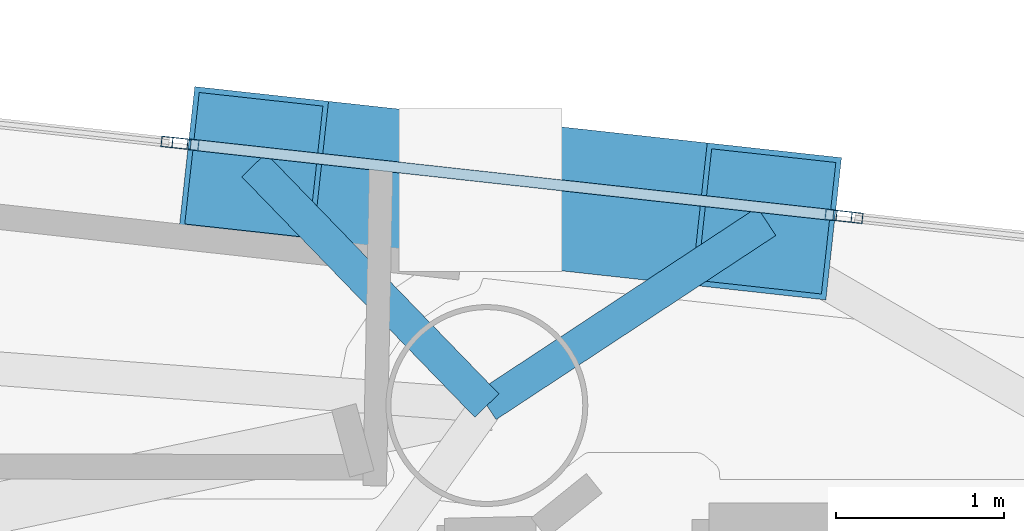
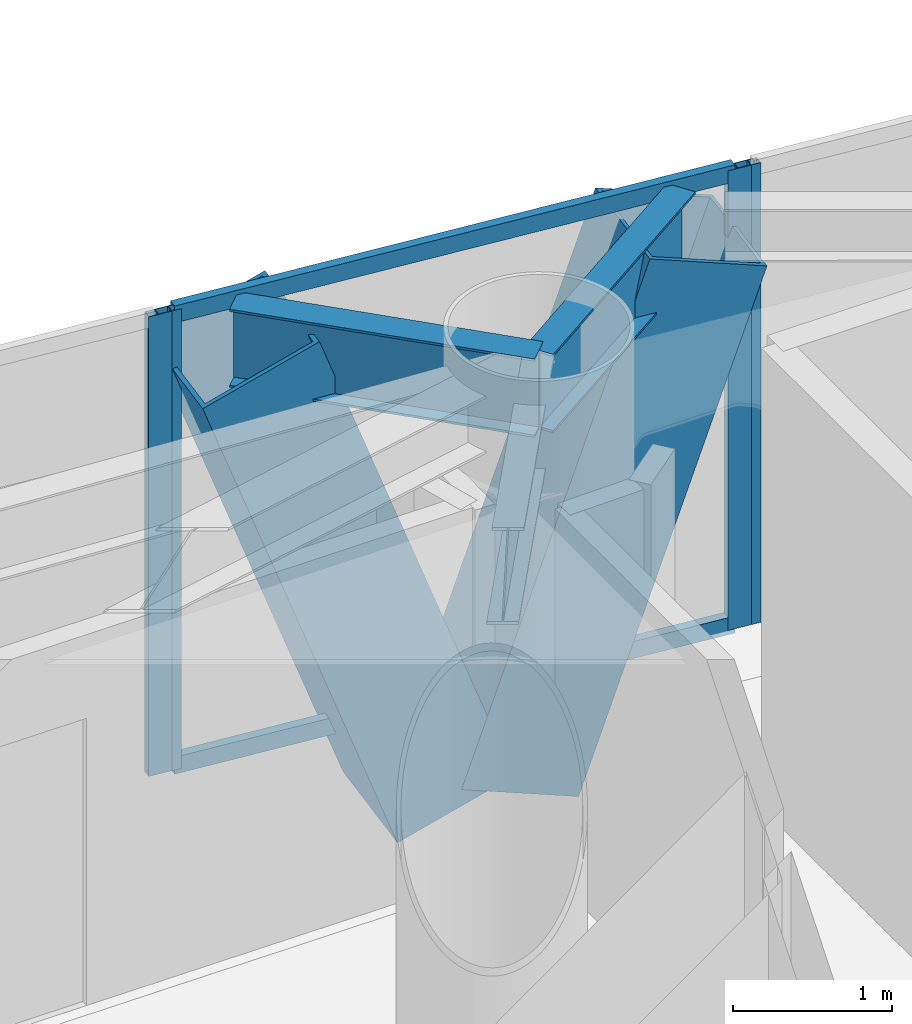
# One storey, part 14 of 24: 8 members, 2 beams, 3 elements without a shape of their own.
"""IFC4 building model written with IfcOpenShell, lengths in metres."""

from ifc_helpers import new_model, si_unit, direction, frame, origin, origin_2d, place, context, subcontext, project, spatial, hollow_rectangle, i_section, extrude, material, layer, layer_set, material_profile, profile_set, type_object, element, aggregate, save


model = new_model("IFC4")

# Units and contexts
model_context = context("Model", 3, precision=1e-05, world=origin(), true_north=direction((0.0, 1.0)))
body_context = subcontext(model_context, "Body", "Model", "MODEL_VIEW")
ifc_project = project(units=[si_unit("LENGTHUNIT", "METRE"), si_unit("AREAUNIT", "SQUARE_METRE"), si_unit("VOLUMEUNIT", "CUBIC_METRE"), si_unit("PLANEANGLEUNIT", "RADIAN"), si_unit("MASSUNIT", "GRAM", prefix="KILO")], contexts=[model_context])

# Site, building, storey
site_placement = place(None, origin())
site = spatial("IfcSite", under=ifc_project, at=site_placement, CompositionType="ELEMENT")
building_placement = place(site_placement, origin())
building = spatial("IfcBuilding", under=site, at=building_placement, Name="Qianvela Tower", CompositionType="ELEMENT")
storey_placement = place(building_placement, frame((0.0, 0.0, 222.5)))
storey = spatial("IfcBuildingStorey", under=building, at=storey_placement, Name="L57", CompositionType="ELEMENT", Elevation=222.5)

# Beams
ifc_material_1 = material(Name="Steel Q355B", Category="steel")
ifc_material_profile_1 = material_profile(ifc_material_1, i_section(OverallWidth=0.199951171875, OverallDepth=0.60009765625, WebThickness=0.010986328125, FlangeThickness=0.01708984375, at=origin_2d()), Name="HN600x200x11x17")
ifc_profile_set_1 = profile_set([ifc_material_profile_1], Name="Steel Q355B")
beam_type = type_object("IfcBeamType", Name="BM-HN600-GIRD", PredefinedType="BEAM", material=ifc_profile_set_1)
for number, where, z_axis, x_axis, name in (
    (1, (40.131103515625, 35.9580078125, 3.218017578125), (0.835245079592, 0.549877856453, 0.0), (-0.549877856453, 0.835245079592, 0.0), "L57 Mega-Brace Column Tie Bracket F1-1"),
    (2, (40.131103515625, 35.9580078125, 3.218017578125), (-0.695854545997, 0.718182741937, 0.0), (-0.718182741937, -0.695854545997, 0.0), "L57 Mega-Brace Column Tie Bracket F1-2"),
):
    element("IfcBeam", number, at=place(storey_placement, frame(where, z_axis=z_axis, x_axis=x_axis)), inside=storey, type_object=beam_type, Name=name, PredefinedType="BEAM", context=body_context, shape_type="SweptSolid", body=[
        extrude(i_section(OverallWidth=0.199951171875, OverallDepth=0.60009765625, WebThickness=0.010986328125, FlangeThickness=0.01708984375, at=origin_2d()), origin(), (0.0, 0.0, 1.0), 1.989990234375),
    ])

# Curtain wall, members
ifc_material_2 = material(Name="Anodised Architectural Aluminium and Insulated Spandrel Panel", Category="aluminium")
ifc_layer_1 = layer(ifc_material_2, 0.179931640625)
ifc_layer_set_1 = layer_set([ifc_layer_1], Name="Anodised Architectural Aluminium and Insulated Spandrel Panel")
curtain_wall_type_1 = type_object("IfcCurtainWallType", Name="CW-BRACEBAY", PredefinedType="USERDEFINED", material=ifc_layer_set_1)
curtain_wall_1_placement = place(storey_placement, origin())
curtain_wall_1 = element("IfcCurtainWall", 3, at=curtain_wall_1_placement, inside=storey, type_object=curtain_wall_type_1, Name="L57 CW-BRACEBAY Curtain Wall 02B", ObjectType="CURTAIN_WALL_SYSTEM", PredefinedType="USERDEFINED")
ifc_material_3 = material(Name="Anodised Architectural Aluminium 6063-T6", Category="aluminium")
ifc_material_profile_2 = material_profile(ifc_material_3, hollow_rectangle(XDim=0.06494140625, YDim=0.159912109375, WallThickness=0.0048828125, at=origin_2d()), Name="ALU-MULL-65x160")
ifc_profile_set_2 = profile_set([ifc_material_profile_2], Name="Anodised Architectural Aluminium 6063-T6")
member_type_1 = type_object("IfcMemberType", Name="CW-BRACEBAY-MULL", PredefinedType="MULLION", material=ifc_profile_set_2)
member_1_placement = place(storey_placement, frame((42.221435546875, 37.085693359375, 0.0), z_axis=(0.0, 0.0, 1.0), x_axis=(-0.109270294859, -0.9940120737, 0.0)))
member_1 = element("IfcMember", 4, at=member_1_placement, type_object=member_type_1, Name="CW-9 mullion 1", PredefinedType="MULLION", context=body_context, shape_type="SweptSolid", body=[
    extrude(hollow_rectangle(XDim=0.06494140625, YDim=0.159912109375, WallThickness=0.0048828125, at=origin_2d()), origin(), (0.0, 0.0, 1.0), 3.52001953125),
])
member_2_placement = place(storey_placement, frame((38.33984375, 37.512451171875, 0.0), z_axis=(0.0, 0.0, 1.0), x_axis=(-0.109270294859, -0.9940120737, 0.0)))
member_2 = element("IfcMember", 5, at=member_2_placement, type_object=member_type_1, Name="CW-9 mullion 2", PredefinedType="MULLION", context=body_context, shape_type="SweptSolid", body=[
    extrude(hollow_rectangle(XDim=0.06494140625, YDim=0.159912109375, WallThickness=0.0048828125, at=origin_2d()), origin(), (0.0, 0.0, 1.0), 3.52001953125),
])
ifc_material_4 = material(Name="Anodised Architectural Aluminium 6063-T6", Category="aluminium")
ifc_material_profile_3 = material_profile(ifc_material_4, hollow_rectangle(XDim=0.06494140625, YDim=0.1298828125, WallThickness=0.00439453125, at=origin_2d()), Name="ALU-TRAN-65x130")
ifc_profile_set_3 = profile_set([ifc_material_profile_3], Name="Anodised Architectural Aluminium 6063-T6")
member_type_2 = type_object("IfcMemberType", Name="CW-BRACEBAY-TRAN", PredefinedType="USERDEFINED", material=ifc_profile_set_3)
member_3_placement = place(storey_placement, frame((42.189208984375, 37.089111328125, 0.032470703125), z_axis=(-0.994010227787, 0.109287085486, 0.0), x_axis=(-0.109287085486, -0.994010227787, 0.0)))
member_3 = element("IfcMember", 6, at=member_3_placement, type_object=member_type_2, Name="CW-9 transom 1.1", ObjectType="TRANSOM", PredefinedType="USERDEFINED", context=body_context, shape_type="SweptSolid", body=[
    extrude(hollow_rectangle(XDim=0.06494140625, YDim=0.1298828125, WallThickness=0.00439453125, at=origin_2d()), origin(), (0.0, 0.0, 1.0), 3.840087890625),
])
member_4_placement = place(storey_placement, frame((42.189208984375, 37.089111328125, 3.487548828125), z_axis=(-0.994010227787, 0.109287085486, 0.0), x_axis=(-0.109287085486, -0.994010227787, 0.0)))
member_4 = element("IfcMember", 7, at=member_4_placement, type_object=member_type_2, Name="CW-9 transom 1.2", ObjectType="TRANSOM", PredefinedType="USERDEFINED", context=body_context, shape_type="SweptSolid", body=[
    extrude(hollow_rectangle(XDim=0.06494140625, YDim=0.1298828125, WallThickness=0.00439453125, at=origin_2d()), origin(), (0.0, 0.0, 1.0), 3.840087890625),
])
aggregate(curtain_wall_1, [member_1, member_2, member_3, member_4])

# Curtain wall, member
ifc_material_5 = material(Name="Anodised Architectural Aluminium and Low-E Glass", Category="aluminium")
ifc_layer_2 = layer(ifc_material_5, 0.159912109375)
ifc_layer_set_2 = layer_set([ifc_layer_2], Name="Anodised Architectural Aluminium and Low-E Glass")
curtain_wall_type_2 = type_object("IfcCurtainWallType", Name="CW-COLIV-Z56", PredefinedType="USERDEFINED", material=ifc_layer_set_2)
curtain_wall_2_placement = place(storey_placement, origin())
curtain_wall_2 = element("IfcCurtainWall", 8, at=curtain_wall_2_placement, inside=storey, type_object=curtain_wall_type_2, Name="L57 CW-COLIV-Z56 Curtain Wall 02A", ObjectType="CURTAIN_WALL_SYSTEM", PredefinedType="USERDEFINED")
ifc_material_6 = material(Name="Anodised Architectural Aluminium 6063-T6", Category="aluminium")
ifc_material_profile_4 = material_profile(ifc_material_6, hollow_rectangle(XDim=0.06494140625, YDim=0.159912109375, WallThickness=0.0048828125, at=origin_2d()), Name="ALU-MULL-65x160")
ifc_profile_set_4 = profile_set([ifc_material_profile_4], Name="Anodised Architectural Aluminium 6063-T6")
member_type_3 = type_object("IfcMemberType", Name="CW-COLIV-Z56-MULL", PredefinedType="MULLION", material=ifc_profile_set_4)
member_5_placement = place(storey_placement, frame((42.285888671875, 37.07861328125, 0.0), z_axis=(0.0, 0.0, 1.0), x_axis=(-0.109261283012, -0.994013064318, 0.0)))
member_5 = element("IfcMember", 9, at=member_5_placement, type_object=member_type_3, Name="CW-5 mullion 3", PredefinedType="MULLION", context=body_context, shape_type="SweptSolid", body=[
    extrude(hollow_rectangle(XDim=0.06494140625, YDim=0.159912109375, WallThickness=0.0048828125, at=origin_2d()), origin(), (0.0, 0.0, 1.0), 3.52001953125),
])
aggregate(curtain_wall_2, [member_5])

curtain_wall_3_placement = place(storey_placement, origin())
curtain_wall_3 = element("IfcCurtainWall", 10, at=curtain_wall_3_placement, inside=storey, type_object=curtain_wall_type_2, Name="L57 CW-COLIV-Z56 Curtain Wall 02C", ObjectType="CURTAIN_WALL_SYSTEM", PredefinedType="USERDEFINED")
member_6_placement = place(storey_placement, frame((38.275146484375, 37.51953125, 0.0), z_axis=(0.0, 0.0, 1.0), x_axis=(-0.109262153523, -0.994012968631, 0.0)))
member_6 = element("IfcMember", 11, at=member_6_placement, type_object=member_type_3, Name="CW-5 mullion 1", PredefinedType="MULLION", context=body_context, shape_type="SweptSolid", body=[
    extrude(hollow_rectangle(XDim=0.06494140625, YDim=0.159912109375, WallThickness=0.0048828125, at=origin_2d()), origin(), (0.0, 0.0, 1.0), 3.52001953125),
])
aggregate(curtain_wall_3, [member_6])

# Members
ifc_material_7 = material(Name="Steel Q420GJC", Category="steel")
ifc_material_profile_5 = material_profile(ifc_material_7, hollow_rectangle(XDim=0.85009765625, YDim=0.85009765625, WallThickness=0.031982421875, at=origin_2d()), Name="MBOX-850x850x32")
ifc_profile_set_5 = profile_set([ifc_material_profile_5], Name="Steel Q420GJC")
member_type_4 = type_object("IfcMemberType", Name="MBR-MBRACE-850", PredefinedType="BRACE", material=ifc_profile_set_5)
member_7_placement = place(storey_placement, frame((40.509765625, 37.193359375, -0.48193359375), z_axis=(0.327512460161, -0.036009549548, 0.944160421105), x_axis=(0.109290036922, 0.994009903285, 0.0)))
element("IfcMember", 12, at=member_7_placement, inside=storey, type_object=member_type_4, Name="L57 Tier 9 Exterior Mega-Brace F1A", PredefinedType="BRACE", context=body_context, shape_type="SweptSolid", body=[
    extrude(hollow_rectangle(XDim=0.85009765625, YDim=0.85009765625, WallThickness=0.031982421875, at=origin_2d()), origin(), (0.0, 0.0, 1.0), 3.918701171875),
])
member_8_placement = place(storey_placement, frame((40.072509765625, 37.241455078125, -0.48193359375), z_axis=(-0.337178653963, 0.037057374156, 0.940711064213), x_axis=(-0.109246460241, -0.994014693516, 0.0)))
element("IfcMember", 13, at=member_8_placement, inside=storey, type_object=member_type_4, Name="L57 Tier 9 Exterior Mega-Brace F1B", PredefinedType="BRACE", context=body_context, shape_type="SweptSolid", body=[
    extrude(hollow_rectangle(XDim=0.85009765625, YDim=0.85009765625, WallThickness=0.031982421875, at=origin_2d()), origin(), (0.0, 0.0, 1.0), 3.93310546875),
])

save(model, "model.ifc")
